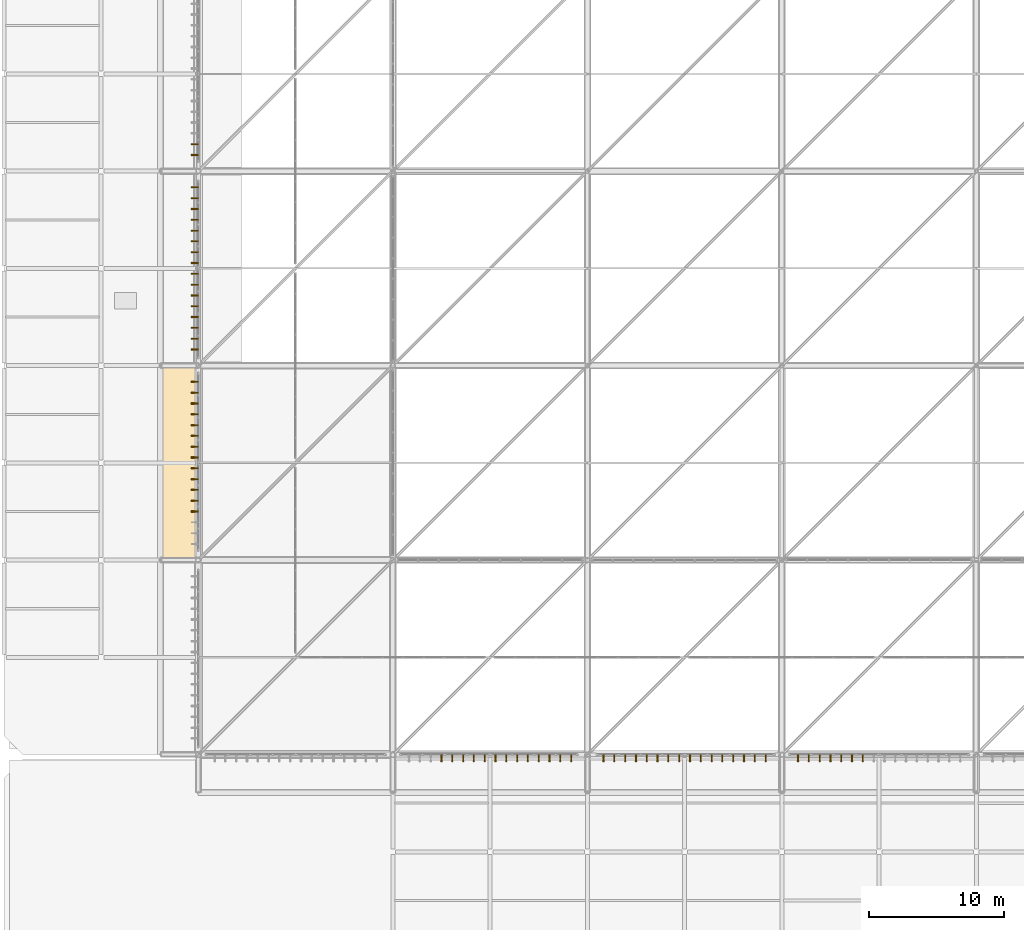
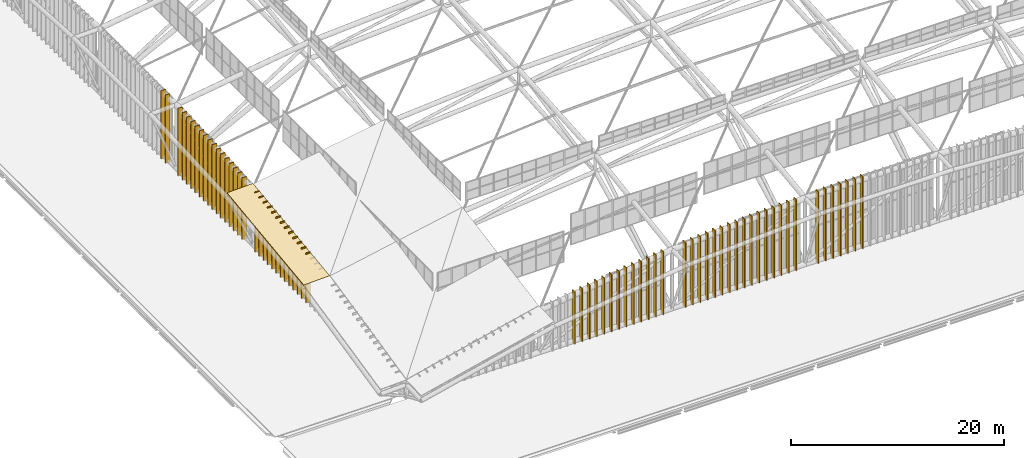
# One storey, part 387 of 397: 68 coverings.
"""IFC4 building model written with IfcOpenShell, lengths in metres."""

from ifc_helpers import new_model, si_unit, direction, frame, origin, origin_2d, place, context, subcontext, project, spatial, polyline, rectangle, outline, extrude, material, layer, layer_set, type_object, element, save


model = new_model("IFC4")

# Units and contexts
model_context = context("Model", 3, precision=1e-05, world=origin(), true_north=direction((0.0, 1.0)))
body_context = subcontext(model_context, "Body", "Model", "MODEL_VIEW")
ifc_project = project(units=[si_unit("LENGTHUNIT", "METRE"), si_unit("AREAUNIT", "SQUARE_METRE"), si_unit("VOLUMEUNIT", "CUBIC_METRE"), si_unit("PLANEANGLEUNIT", "RADIAN"), si_unit("MASSUNIT", "GRAM", prefix="KILO")], contexts=[model_context])

# Site, building, storey
site_placement = place(None, origin())
site = spatial("IfcSite", under=ifc_project, at=site_placement, CompositionType="ELEMENT")
building_placement = place(site_placement, origin())
building = spatial("IfcBuilding", under=site, at=building_placement, Name="Qandorah Velis Arena", CompositionType="ELEMENT")
storey_placement = place(building_placement, frame((0.0, 0.0, 27.5)))
storey = spatial("IfcBuildingStorey", under=building, at=storey_placement, Name="RF", CompositionType="ELEMENT", Elevation=27.5)

# Coverings
ifc_material_1 = material(Name="Champagne-bronze anodized aluminium 6063-T6", Category="aluminium")
ifc_layer_1 = layer(ifc_material_1, 0.0849609375)
ifc_layer_set_1 = layer_set([ifc_layer_1], Name="Champagne-bronze anodized aluminium 6063-T6")
covering_type_1 = type_object("IfcCoveringType", Name="ARC-COV-FIN520", PredefinedType="CLADDING", material=ifc_layer_set_1)
covering_1_placement = place(storey_placement, frame((14.14501953125, 32.39990234375, -0.010009765625), z_axis=(0.0, 0.0, 1.0), x_axis=(1.0, 0.0, 0.0)))
element("IfcCovering", 1, at=covering_1_placement, inside=storey, type_object=covering_type_1, Name="Arched crown champagne-bronze solar fin 1.2.4", PredefinedType="CLADDING", context=body_context, shape_type="SweptSolid", body=[
    extrude(rectangle(XDim=0.52001953125, YDim=0.0849609375, at=origin_2d()), origin(), (0.0, 0.0, 1.0), 5.74072265625),
])
covering_2_placement = place(storey_placement, frame((14.14501953125, 33.199951171875, -0.010009765625), z_axis=(0.0, 0.0, 1.0), x_axis=(1.0, 0.0, 0.0)))
element("IfcCovering", 2, at=covering_2_placement, inside=storey, type_object=covering_type_1, Name="Arched crown champagne-bronze solar fin 1.2.5", PredefinedType="CLADDING", context=body_context, shape_type="SweptSolid", body=[
    extrude(rectangle(XDim=0.52001953125, YDim=0.0849609375, at=origin_2d()), origin(), (0.0, 0.0, 1.0), 5.85693359375),
])
covering_3_placement = place(storey_placement, frame((14.14501953125, 34.0, -0.009765625), z_axis=(0.0, 0.0, 1.0), x_axis=(1.0, 0.0, 0.0)))
element("IfcCovering", 3, at=covering_3_placement, inside=storey, type_object=covering_type_1, Name="Arched crown champagne-bronze solar fin 1.2.6", PredefinedType="CLADDING", context=body_context, shape_type="SweptSolid", body=[
    extrude(rectangle(XDim=0.52001953125, YDim=0.0849609375, at=origin_2d()), origin(), (0.0, 0.0, 1.0), 5.969482421875),
])
covering_4_placement = place(storey_placement, frame((14.14501953125, 34.800048828125, -0.010009765625), z_axis=(0.0, 0.0, 1.0), x_axis=(1.0, 0.0, 0.0)))
element("IfcCovering", 4, at=covering_4_placement, inside=storey, type_object=covering_type_1, Name="Arched crown champagne-bronze solar fin 1.2.7", PredefinedType="CLADDING", context=body_context, shape_type="SweptSolid", body=[
    extrude(rectangle(XDim=0.52001953125, YDim=0.0849609375, at=origin_2d()), origin(), (0.0, 0.0, 1.0), 6.078125),
])
covering_5_placement = place(storey_placement, frame((14.14501953125, 35.60009765625, -0.01025390625), z_axis=(0.0, 0.0, 1.0), x_axis=(1.0, 0.0, 0.0)))
element("IfcCovering", 5, at=covering_5_placement, inside=storey, type_object=covering_type_1, Name="Arched crown champagne-bronze solar fin 1.2.8", PredefinedType="CLADDING", context=body_context, shape_type="SweptSolid", body=[
    extrude(rectangle(XDim=0.52001953125, YDim=0.0849609375, at=origin_2d()), origin(), (0.0, 0.0, 1.0), 6.183349609375),
])
covering_6_placement = place(storey_placement, frame((14.14501953125, 36.39990234375, -0.010009765625), z_axis=(0.0, 0.0, 1.0), x_axis=(1.0, 0.0, 0.0)))
element("IfcCovering", 6, at=covering_6_placement, inside=storey, type_object=covering_type_1, Name="Arched crown champagne-bronze solar fin 1.2.9", PredefinedType="CLADDING", context=body_context, shape_type="SweptSolid", body=[
    extrude(rectangle(XDim=0.52001953125, YDim=0.0849609375, at=origin_2d()), origin(), (0.0, 0.0, 1.0), 6.28466796875),
])
covering_7_placement = place(storey_placement, frame((14.14501953125, 37.199951171875, -0.01025390625), z_axis=(0.0, 0.0, 1.0), x_axis=(1.0, 0.0, 0.0)))
element("IfcCovering", 7, at=covering_7_placement, inside=storey, type_object=covering_type_1, Name="Arched crown champagne-bronze solar fin 1.2.10", PredefinedType="CLADDING", context=body_context, shape_type="SweptSolid", body=[
    extrude(rectangle(XDim=0.52001953125, YDim=0.0849609375, at=origin_2d()), origin(), (0.0, 0.0, 1.0), 6.382568359375),
])
covering_8_placement = place(storey_placement, frame((14.14501953125, 38.0, -0.009765625), z_axis=(0.0, 0.0, 1.0), x_axis=(1.0, 0.0, 0.0)))
element("IfcCovering", 8, at=covering_8_placement, inside=storey, type_object=covering_type_1, Name="Arched crown champagne-bronze solar fin 1.2.11", PredefinedType="CLADDING", context=body_context, shape_type="SweptSolid", body=[
    extrude(rectangle(XDim=0.52001953125, YDim=0.0849609375, at=origin_2d()), origin(), (0.0, 0.0, 1.0), 6.476806640625),
])
covering_9_placement = place(storey_placement, frame((14.14501953125, 38.800048828125, -0.01025390625), z_axis=(0.0, 0.0, 1.0), x_axis=(1.0, 0.0, 0.0)))
element("IfcCovering", 9, at=covering_9_placement, inside=storey, type_object=covering_type_1, Name="Arched crown champagne-bronze solar fin 1.2.12", PredefinedType="CLADDING", context=body_context, shape_type="SweptSolid", body=[
    extrude(rectangle(XDim=0.52001953125, YDim=0.0849609375, at=origin_2d()), origin(), (0.0, 0.0, 1.0), 6.567626953125),
])
covering_10_placement = place(storey_placement, frame((14.14501953125, 39.60009765625, -0.010009765625), z_axis=(0.0, 0.0, 1.0), x_axis=(1.0, 0.0, 0.0)))
element("IfcCovering", 10, at=covering_10_placement, inside=storey, type_object=covering_type_1, Name="Arched crown champagne-bronze solar fin 1.2.13", PredefinedType="CLADDING", context=body_context, shape_type="SweptSolid", body=[
    extrude(rectangle(XDim=0.52001953125, YDim=0.0849609375, at=origin_2d()), origin(), (0.0, 0.0, 1.0), 6.6552734375),
])
covering_11_placement = place(storey_placement, frame((14.14501953125, 40.39990234375, -0.010009765625), z_axis=(0.0, 0.0, 1.0), x_axis=(1.0, 0.0, 0.0)))
element("IfcCovering", 11, at=covering_11_placement, inside=storey, type_object=covering_type_1, Name="Arched crown champagne-bronze solar fin 1.2.14", PredefinedType="CLADDING", context=body_context, shape_type="SweptSolid", body=[
    extrude(rectangle(XDim=0.52001953125, YDim=0.0849609375, at=origin_2d()), origin(), (0.0, 0.0, 1.0), 6.7392578125),
])
covering_12_placement = place(storey_placement, frame((14.14501953125, 41.199951171875, -0.010009765625), z_axis=(0.0, 0.0, 1.0), x_axis=(1.0, 0.0, 0.0)))
element("IfcCovering", 12, at=covering_12_placement, inside=storey, type_object=covering_type_1, Name="Arched crown champagne-bronze solar fin 1.2.15", PredefinedType="CLADDING", context=body_context, shape_type="SweptSolid", body=[
    extrude(rectangle(XDim=0.52001953125, YDim=0.0849609375, at=origin_2d()), origin(), (0.0, 0.0, 1.0), 6.8203125),
])
covering_13_placement = place(storey_placement, frame((14.14501953125, 42.0, -0.009765625), z_axis=(0.0, 0.0, 1.0), x_axis=(1.0, 0.0, 0.0)))
element("IfcCovering", 13, at=covering_13_placement, inside=storey, type_object=covering_type_1, Name="Arched crown champagne-bronze solar fin 1.2.16", PredefinedType="CLADDING", context=body_context, shape_type="SweptSolid", body=[
    extrude(rectangle(XDim=0.52001953125, YDim=0.0849609375, at=origin_2d()), origin(), (0.0, 0.0, 1.0), 6.897705078125),
])
covering_14_placement = place(storey_placement, frame((14.14501953125, 44.39990234375, -0.010009765625), z_axis=(0.0, 0.0, 1.0), x_axis=(1.0, 0.0, 0.0)))
element("IfcCovering", 14, at=covering_14_placement, inside=storey, type_object=covering_type_1, Name="Arched crown champagne-bronze solar fin 1.3.1", PredefinedType="CLADDING", context=body_context, shape_type="SweptSolid", body=[
    extrude(rectangle(XDim=0.52001953125, YDim=0.0849609375, at=origin_2d()), origin(), (0.0, 0.0, 1.0), 7.11181640625),
])
covering_15_placement = place(storey_placement, frame((14.14501953125, 45.199951171875, -0.009765625), z_axis=(0.0, 0.0, 1.0), x_axis=(1.0, 0.0, 0.0)))
element("IfcCovering", 15, at=covering_15_placement, inside=storey, type_object=covering_type_1, Name="Arched crown champagne-bronze solar fin 1.3.2", PredefinedType="CLADDING", context=body_context, shape_type="SweptSolid", body=[
    extrude(rectangle(XDim=0.52001953125, YDim=0.0849609375, at=origin_2d()), origin(), (0.0, 0.0, 1.0), 7.177001953125),
])
covering_16_placement = place(storey_placement, frame((14.14501953125, 46.0, -0.01025390625), z_axis=(0.0, 0.0, 1.0), x_axis=(1.0, 0.0, 0.0)))
element("IfcCovering", 16, at=covering_16_placement, inside=storey, type_object=covering_type_1, Name="Arched crown champagne-bronze solar fin 1.3.3", PredefinedType="CLADDING", context=body_context, shape_type="SweptSolid", body=[
    extrude(rectangle(XDim=0.52001953125, YDim=0.0849609375, at=origin_2d()), origin(), (0.0, 0.0, 1.0), 7.239501953125),
])
covering_17_placement = place(storey_placement, frame((14.14501953125, 46.800048828125, -0.009765625), z_axis=(0.0, 0.0, 1.0), x_axis=(1.0, 0.0, 0.0)))
element("IfcCovering", 17, at=covering_17_placement, inside=storey, type_object=covering_type_1, Name="Arched crown champagne-bronze solar fin 1.3.4", PredefinedType="CLADDING", context=body_context, shape_type="SweptSolid", body=[
    extrude(rectangle(XDim=0.52001953125, YDim=0.0849609375, at=origin_2d()), origin(), (0.0, 0.0, 1.0), 7.298583984375),
])
covering_18_placement = place(storey_placement, frame((14.14501953125, 47.60009765625, -0.010009765625), z_axis=(0.0, 0.0, 1.0), x_axis=(1.0, 0.0, 0.0)))
element("IfcCovering", 18, at=covering_18_placement, inside=storey, type_object=covering_type_1, Name="Arched crown champagne-bronze solar fin 1.3.5", PredefinedType="CLADDING", context=body_context, shape_type="SweptSolid", body=[
    extrude(rectangle(XDim=0.52001953125, YDim=0.0849609375, at=origin_2d()), origin(), (0.0, 0.0, 1.0), 7.35498046875),
])
covering_19_placement = place(storey_placement, frame((14.14501953125, 48.39990234375, -0.010009765625), z_axis=(0.0, 0.0, 1.0), x_axis=(1.0, 0.0, 0.0)))
element("IfcCovering", 19, at=covering_19_placement, inside=storey, type_object=covering_type_1, Name="Arched crown champagne-bronze solar fin 1.3.6", PredefinedType="CLADDING", context=body_context, shape_type="SweptSolid", body=[
    extrude(rectangle(XDim=0.52001953125, YDim=0.0849609375, at=origin_2d()), origin(), (0.0, 0.0, 1.0), 7.40869140625),
])
covering_20_placement = place(storey_placement, frame((14.14501953125, 49.199951171875, -0.010009765625), z_axis=(0.0, 0.0, 1.0), x_axis=(1.0, 0.0, 0.0)))
element("IfcCovering", 20, at=covering_20_placement, inside=storey, type_object=covering_type_1, Name="Arched crown champagne-bronze solar fin 1.3.7", PredefinedType="CLADDING", context=body_context, shape_type="SweptSolid", body=[
    extrude(rectangle(XDim=0.52001953125, YDim=0.0849609375, at=origin_2d()), origin(), (0.0, 0.0, 1.0), 7.45947265625),
])
covering_21_placement = place(storey_placement, frame((14.14501953125, 50.0, -0.010009765625), z_axis=(0.0, 0.0, 1.0), x_axis=(1.0, 0.0, 0.0)))
element("IfcCovering", 21, at=covering_21_placement, inside=storey, type_object=covering_type_1, Name="Arched crown champagne-bronze solar fin 1.3.8", PredefinedType="CLADDING", context=body_context, shape_type="SweptSolid", body=[
    extrude(rectangle(XDim=0.52001953125, YDim=0.0849609375, at=origin_2d()), origin(), (0.0, 0.0, 1.0), 7.50732421875),
])
covering_22_placement = place(storey_placement, frame((14.14501953125, 50.800048828125, -0.01025390625), z_axis=(0.0, 0.0, 1.0), x_axis=(1.0, 0.0, 0.0)))
element("IfcCovering", 22, at=covering_22_placement, inside=storey, type_object=covering_type_1, Name="Arched crown champagne-bronze solar fin 1.3.9", PredefinedType="CLADDING", context=body_context, shape_type="SweptSolid", body=[
    extrude(rectangle(XDim=0.52001953125, YDim=0.0849609375, at=origin_2d()), origin(), (0.0, 0.0, 1.0), 7.552490234375),
])
covering_23_placement = place(storey_placement, frame((14.14501953125, 51.60009765625, -0.009765625), z_axis=(0.0, 0.0, 1.0), x_axis=(1.0, 0.0, 0.0)))
element("IfcCovering", 23, at=covering_23_placement, inside=storey, type_object=covering_type_1, Name="Arched crown champagne-bronze solar fin 1.3.10", PredefinedType="CLADDING", context=body_context, shape_type="SweptSolid", body=[
    extrude(rectangle(XDim=0.52001953125, YDim=0.0849609375, at=origin_2d()), origin(), (0.0, 0.0, 1.0), 7.594970703125),
])
covering_24_placement = place(storey_placement, frame((14.14501953125, 52.39990234375, -0.01025390625), z_axis=(0.0, 0.0, 1.0), x_axis=(1.0, 0.0, 0.0)))
element("IfcCovering", 24, at=covering_24_placement, inside=storey, type_object=covering_type_1, Name="Arched crown champagne-bronze solar fin 1.3.11", PredefinedType="CLADDING", context=body_context, shape_type="SweptSolid", body=[
    extrude(rectangle(XDim=0.52001953125, YDim=0.0849609375, at=origin_2d()), origin(), (0.0, 0.0, 1.0), 7.635009765625),
])
covering_25_placement = place(storey_placement, frame((14.14501953125, 53.199951171875, -0.01025390625), z_axis=(0.0, 0.0, 1.0), x_axis=(1.0, 0.0, 0.0)))
element("IfcCovering", 25, at=covering_25_placement, inside=storey, type_object=covering_type_1, Name="Arched crown champagne-bronze solar fin 1.3.12", PredefinedType="CLADDING", context=body_context, shape_type="SweptSolid", body=[
    extrude(rectangle(XDim=0.52001953125, YDim=0.0849609375, at=origin_2d()), origin(), (0.0, 0.0, 1.0), 7.672119140625),
])
covering_26_placement = place(storey_placement, frame((14.14501953125, 54.0, -0.01025390625), z_axis=(0.0, 0.0, 1.0), x_axis=(1.0, 0.0, 0.0)))
element("IfcCovering", 26, at=covering_26_placement, inside=storey, type_object=covering_type_1, Name="Arched crown champagne-bronze solar fin 1.3.13", PredefinedType="CLADDING", context=body_context, shape_type="SweptSolid", body=[
    extrude(rectangle(XDim=0.52001953125, YDim=0.0849609375, at=origin_2d()), origin(), (0.0, 0.0, 1.0), 7.706787109375),
])
covering_27_placement = place(storey_placement, frame((14.14501953125, 54.800048828125, -0.010009765625), z_axis=(0.0, 0.0, 1.0), x_axis=(1.0, 0.0, 0.0)))
element("IfcCovering", 27, at=covering_27_placement, inside=storey, type_object=covering_type_1, Name="Arched crown champagne-bronze solar fin 1.3.14", PredefinedType="CLADDING", context=body_context, shape_type="SweptSolid", body=[
    extrude(rectangle(XDim=0.52001953125, YDim=0.0849609375, at=origin_2d()), origin(), (0.0, 0.0, 1.0), 7.73876953125),
])
covering_28_placement = place(storey_placement, frame((14.14501953125, 55.60009765625, -0.010009765625), z_axis=(0.0, 0.0, 1.0), x_axis=(1.0, 0.0, 0.0)))
element("IfcCovering", 28, at=covering_28_placement, inside=storey, type_object=covering_type_1, Name="Arched crown champagne-bronze solar fin 1.3.15", PredefinedType="CLADDING", context=body_context, shape_type="SweptSolid", body=[
    extrude(rectangle(XDim=0.52001953125, YDim=0.0849609375, at=origin_2d()), origin(), (0.0, 0.0, 1.0), 7.76806640625),
])
covering_29_placement = place(storey_placement, frame((14.14501953125, 56.39990234375, -0.010009765625), z_axis=(0.0, 0.0, 1.0), x_axis=(1.0, 0.0, 0.0)))
element("IfcCovering", 29, at=covering_29_placement, inside=storey, type_object=covering_type_1, Name="Arched crown champagne-bronze solar fin 1.3.16", PredefinedType="CLADDING", context=body_context, shape_type="SweptSolid", body=[
    extrude(rectangle(XDim=0.52001953125, YDim=0.0849609375, at=origin_2d()), origin(), (0.0, 0.0, 1.0), 7.794921875),
])
covering_30_placement = place(storey_placement, frame((14.14501953125, 58.800048828125, -0.009765625), z_axis=(0.0, 0.0, 1.0), x_axis=(1.0, 0.0, 0.0)))
element("IfcCovering", 30, at=covering_30_placement, inside=storey, type_object=covering_type_1, Name="Arched crown champagne-bronze solar fin 1.4.1", PredefinedType="CLADDING", context=body_context, shape_type="SweptSolid", body=[
    extrude(rectangle(XDim=0.52001953125, YDim=0.0849609375, at=origin_2d()), origin(), (0.0, 0.0, 1.0), 7.860595703125),
])
covering_31_placement = place(storey_placement, frame((14.14501953125, 59.60009765625, -0.01025390625), z_axis=(0.0, 0.0, 1.0), x_axis=(1.0, 0.0, 0.0)))
element("IfcCovering", 31, at=covering_31_placement, inside=storey, type_object=covering_type_1, Name="Arched crown champagne-bronze solar fin 1.4.2", PredefinedType="CLADDING", context=body_context, shape_type="SweptSolid", body=[
    extrude(rectangle(XDim=0.52001953125, YDim=0.0849609375, at=origin_2d()), origin(), (0.0, 0.0, 1.0), 7.877685546875),
])
covering_32_placement = place(storey_placement, frame((32.39990234375, 14.14501953125, -0.01025390625), z_axis=(0.0, 0.0, 1.0), x_axis=(1.0, 0.0, 0.0)))
element("IfcCovering", 32, at=covering_32_placement, inside=storey, type_object=covering_type_1, Name="Arched crown champagne-bronze solar fin 3.2.4", PredefinedType="CLADDING", context=body_context, shape_type="SweptSolid", body=[
    extrude(rectangle(XDim=0.0849609375, YDim=0.52001953125, at=origin_2d()), origin(), (0.0, 0.0, 1.0), 6.021240234375),
])
covering_33_placement = place(storey_placement, frame((33.199951171875, 14.14501953125, -0.01025390625), z_axis=(0.0, 0.0, 1.0), x_axis=(1.0, 0.0, 0.0)))
element("IfcCovering", 33, at=covering_33_placement, inside=storey, type_object=covering_type_1, Name="Arched crown champagne-bronze solar fin 3.2.5", PredefinedType="CLADDING", context=body_context, shape_type="SweptSolid", body=[
    extrude(rectangle(XDim=0.0849609375, YDim=0.52001953125, at=origin_2d()), origin(), (0.0, 0.0, 1.0), 6.144775390625),
])
covering_34_placement = place(storey_placement, frame((34.0, 14.14501953125, -0.01025390625), z_axis=(0.0, 0.0, 1.0), x_axis=(1.0, 0.0, 0.0)))
element("IfcCovering", 34, at=covering_34_placement, inside=storey, type_object=covering_type_1, Name="Arched crown champagne-bronze solar fin 3.2.6", PredefinedType="CLADDING", context=body_context, shape_type="SweptSolid", body=[
    extrude(rectangle(XDim=0.0849609375, YDim=0.52001953125, at=origin_2d()), origin(), (0.0, 0.0, 1.0), 6.263916015625),
])
covering_35_placement = place(storey_placement, frame((34.800048828125, 14.14501953125, -0.01025390625), z_axis=(0.0, 0.0, 1.0), x_axis=(1.0, 0.0, 0.0)))
element("IfcCovering", 35, at=covering_35_placement, inside=storey, type_object=covering_type_1, Name="Arched crown champagne-bronze solar fin 3.2.7", PredefinedType="CLADDING", context=body_context, shape_type="SweptSolid", body=[
    extrude(rectangle(XDim=0.0849609375, YDim=0.52001953125, at=origin_2d()), origin(), (0.0, 0.0, 1.0), 6.379150390625),
])
covering_36_placement = place(storey_placement, frame((35.60009765625, 14.14501953125, -0.010009765625), z_axis=(0.0, 0.0, 1.0), x_axis=(1.0, 0.0, 0.0)))
element("IfcCovering", 36, at=covering_36_placement, inside=storey, type_object=covering_type_1, Name="Arched crown champagne-bronze solar fin 3.2.8", PredefinedType="CLADDING", context=body_context, shape_type="SweptSolid", body=[
    extrude(rectangle(XDim=0.0849609375, YDim=0.52001953125, at=origin_2d()), origin(), (0.0, 0.0, 1.0), 6.490234375),
])
covering_37_placement = place(storey_placement, frame((36.39990234375, 14.14501953125, -0.009765625), z_axis=(0.0, 0.0, 1.0), x_axis=(1.0, 0.0, 0.0)))
element("IfcCovering", 37, at=covering_37_placement, inside=storey, type_object=covering_type_1, Name="Arched crown champagne-bronze solar fin 3.2.9", PredefinedType="CLADDING", context=body_context, shape_type="SweptSolid", body=[
    extrude(rectangle(XDim=0.0849609375, YDim=0.52001953125, at=origin_2d()), origin(), (0.0, 0.0, 1.0), 6.597412109375),
])
covering_38_placement = place(storey_placement, frame((37.199951171875, 14.14501953125, -0.010009765625), z_axis=(0.0, 0.0, 1.0), x_axis=(1.0, 0.0, 0.0)))
element("IfcCovering", 38, at=covering_38_placement, inside=storey, type_object=covering_type_1, Name="Arched crown champagne-bronze solar fin 3.2.10", PredefinedType="CLADDING", context=body_context, shape_type="SweptSolid", body=[
    extrude(rectangle(XDim=0.0849609375, YDim=0.52001953125, at=origin_2d()), origin(), (0.0, 0.0, 1.0), 6.70068359375),
])
covering_39_placement = place(storey_placement, frame((38.0, 14.14501953125, -0.010009765625), z_axis=(0.0, 0.0, 1.0), x_axis=(1.0, 0.0, 0.0)))
element("IfcCovering", 39, at=covering_39_placement, inside=storey, type_object=covering_type_1, Name="Arched crown champagne-bronze solar fin 3.2.11", PredefinedType="CLADDING", context=body_context, shape_type="SweptSolid", body=[
    extrude(rectangle(XDim=0.0849609375, YDim=0.52001953125, at=origin_2d()), origin(), (0.0, 0.0, 1.0), 6.80029296875),
])
covering_40_placement = place(storey_placement, frame((38.800048828125, 14.14501953125, -0.010009765625), z_axis=(0.0, 0.0, 1.0), x_axis=(1.0, 0.0, 0.0)))
element("IfcCovering", 40, at=covering_40_placement, inside=storey, type_object=covering_type_1, Name="Arched crown champagne-bronze solar fin 3.2.12", PredefinedType="CLADDING", context=body_context, shape_type="SweptSolid", body=[
    extrude(rectangle(XDim=0.0849609375, YDim=0.52001953125, at=origin_2d()), origin(), (0.0, 0.0, 1.0), 6.89599609375),
])
covering_41_placement = place(storey_placement, frame((39.60009765625, 14.14501953125, -0.010009765625), z_axis=(0.0, 0.0, 1.0), x_axis=(1.0, 0.0, 0.0)))
element("IfcCovering", 41, at=covering_41_placement, inside=storey, type_object=covering_type_1, Name="Arched crown champagne-bronze solar fin 3.2.13", PredefinedType="CLADDING", context=body_context, shape_type="SweptSolid", body=[
    extrude(rectangle(XDim=0.0849609375, YDim=0.52001953125, at=origin_2d()), origin(), (0.0, 0.0, 1.0), 6.98828125),
])
covering_42_placement = place(storey_placement, frame((40.39990234375, 14.14501953125, -0.01025390625), z_axis=(0.0, 0.0, 1.0), x_axis=(1.0, 0.0, 0.0)))
element("IfcCovering", 42, at=covering_42_placement, inside=storey, type_object=covering_type_1, Name="Arched crown champagne-bronze solar fin 3.2.14", PredefinedType="CLADDING", context=body_context, shape_type="SweptSolid", body=[
    extrude(rectangle(XDim=0.0849609375, YDim=0.52001953125, at=origin_2d()), origin(), (0.0, 0.0, 1.0), 7.076904296875),
])
covering_43_placement = place(storey_placement, frame((41.199951171875, 14.14501953125, -0.01025390625), z_axis=(0.0, 0.0, 1.0), x_axis=(1.0, 0.0, 0.0)))
element("IfcCovering", 43, at=covering_43_placement, inside=storey, type_object=covering_type_1, Name="Arched crown champagne-bronze solar fin 3.2.15", PredefinedType="CLADDING", context=body_context, shape_type="SweptSolid", body=[
    extrude(rectangle(XDim=0.0849609375, YDim=0.52001953125, at=origin_2d()), origin(), (0.0, 0.0, 1.0), 7.161865234375),
])
covering_44_placement = place(storey_placement, frame((42.0, 14.14501953125, -0.01025390625), z_axis=(0.0, 0.0, 1.0), x_axis=(1.0, 0.0, 0.0)))
element("IfcCovering", 44, at=covering_44_placement, inside=storey, type_object=covering_type_1, Name="Arched crown champagne-bronze solar fin 3.2.16", PredefinedType="CLADDING", context=body_context, shape_type="SweptSolid", body=[
    extrude(rectangle(XDim=0.0849609375, YDim=0.52001953125, at=origin_2d()), origin(), (0.0, 0.0, 1.0), 7.243408203125),
])
covering_45_placement = place(storey_placement, frame((44.39990234375, 14.14501953125, -0.010009765625), z_axis=(0.0, 0.0, 1.0), x_axis=(1.0, 0.0, 0.0)))
element("IfcCovering", 45, at=covering_45_placement, inside=storey, type_object=covering_type_1, Name="Arched crown champagne-bronze solar fin 3.3.1", PredefinedType="CLADDING", context=body_context, shape_type="SweptSolid", body=[
    extrude(rectangle(XDim=0.0849609375, YDim=0.52001953125, at=origin_2d()), origin(), (0.0, 0.0, 1.0), 7.4677734375),
])
covering_46_placement = place(storey_placement, frame((45.199951171875, 14.14501953125, -0.01025390625), z_axis=(0.0, 0.0, 1.0), x_axis=(1.0, 0.0, 0.0)))
element("IfcCovering", 46, at=covering_46_placement, inside=storey, type_object=covering_type_1, Name="Arched crown champagne-bronze solar fin 3.3.2", PredefinedType="CLADDING", context=body_context, shape_type="SweptSolid", body=[
    extrude(rectangle(XDim=0.0849609375, YDim=0.52001953125, at=origin_2d()), origin(), (0.0, 0.0, 1.0), 7.535888671875),
])
covering_47_placement = place(storey_placement, frame((46.0, 14.14501953125, -0.01025390625), z_axis=(0.0, 0.0, 1.0), x_axis=(1.0, 0.0, 0.0)))
element("IfcCovering", 47, at=covering_47_placement, inside=storey, type_object=covering_type_1, Name="Arched crown champagne-bronze solar fin 3.3.3", PredefinedType="CLADDING", context=body_context, shape_type="SweptSolid", body=[
    extrude(rectangle(XDim=0.0849609375, YDim=0.52001953125, at=origin_2d()), origin(), (0.0, 0.0, 1.0), 7.600830078125),
])
covering_48_placement = place(storey_placement, frame((46.800048828125, 14.14501953125, -0.01025390625), z_axis=(0.0, 0.0, 1.0), x_axis=(1.0, 0.0, 0.0)))
element("IfcCovering", 48, at=covering_48_placement, inside=storey, type_object=covering_type_1, Name="Arched crown champagne-bronze solar fin 3.3.4", PredefinedType="CLADDING", context=body_context, shape_type="SweptSolid", body=[
    extrude(rectangle(XDim=0.0849609375, YDim=0.52001953125, at=origin_2d()), origin(), (0.0, 0.0, 1.0), 7.662841796875),
])
covering_49_placement = place(storey_placement, frame((47.60009765625, 14.14501953125, -0.010009765625), z_axis=(0.0, 0.0, 1.0), x_axis=(1.0, 0.0, 0.0)))
element("IfcCovering", 49, at=covering_49_placement, inside=storey, type_object=covering_type_1, Name="Arched crown champagne-bronze solar fin 3.3.5", PredefinedType="CLADDING", context=body_context, shape_type="SweptSolid", body=[
    extrude(rectangle(XDim=0.0849609375, YDim=0.52001953125, at=origin_2d()), origin(), (0.0, 0.0, 1.0), 7.7216796875),
])
covering_50_placement = place(storey_placement, frame((48.39990234375, 14.14501953125, -0.009765625), z_axis=(0.0, 0.0, 1.0), x_axis=(1.0, 0.0, 0.0)))
element("IfcCovering", 50, at=covering_50_placement, inside=storey, type_object=covering_type_1, Name="Arched crown champagne-bronze solar fin 3.3.6", PredefinedType="CLADDING", context=body_context, shape_type="SweptSolid", body=[
    extrude(rectangle(XDim=0.0849609375, YDim=0.52001953125, at=origin_2d()), origin(), (0.0, 0.0, 1.0), 7.777587890625),
])
covering_51_placement = place(storey_placement, frame((49.199951171875, 14.14501953125, -0.009765625), z_axis=(0.0, 0.0, 1.0), x_axis=(1.0, 0.0, 0.0)))
element("IfcCovering", 51, at=covering_51_placement, inside=storey, type_object=covering_type_1, Name="Arched crown champagne-bronze solar fin 3.3.7", PredefinedType="CLADDING", context=body_context, shape_type="SweptSolid", body=[
    extrude(rectangle(XDim=0.0849609375, YDim=0.52001953125, at=origin_2d()), origin(), (0.0, 0.0, 1.0), 7.830322265625),
])
covering_52_placement = place(storey_placement, frame((50.0, 14.14501953125, -0.010009765625), z_axis=(0.0, 0.0, 1.0), x_axis=(1.0, 0.0, 0.0)))
element("IfcCovering", 52, at=covering_52_placement, inside=storey, type_object=covering_type_1, Name="Arched crown champagne-bronze solar fin 3.3.8", PredefinedType="CLADDING", context=body_context, shape_type="SweptSolid", body=[
    extrude(rectangle(XDim=0.0849609375, YDim=0.52001953125, at=origin_2d()), origin(), (0.0, 0.0, 1.0), 7.88037109375),
])
covering_53_placement = place(storey_placement, frame((50.800048828125, 14.14501953125, -0.01025390625), z_axis=(0.0, 0.0, 1.0), x_axis=(1.0, 0.0, 0.0)))
element("IfcCovering", 53, at=covering_53_placement, inside=storey, type_object=covering_type_1, Name="Arched crown champagne-bronze solar fin 3.3.9", PredefinedType="CLADDING", context=body_context, shape_type="SweptSolid", body=[
    extrude(rectangle(XDim=0.0849609375, YDim=0.52001953125, at=origin_2d()), origin(), (0.0, 0.0, 1.0), 7.927490234375),
])
covering_54_placement = place(storey_placement, frame((51.60009765625, 14.14501953125, -0.01025390625), z_axis=(0.0, 0.0, 1.0), x_axis=(1.0, 0.0, 0.0)))
element("IfcCovering", 54, at=covering_54_placement, inside=storey, type_object=covering_type_1, Name="Arched crown champagne-bronze solar fin 3.3.10", PredefinedType="CLADDING", context=body_context, shape_type="SweptSolid", body=[
    extrude(rectangle(XDim=0.0849609375, YDim=0.52001953125, at=origin_2d()), origin(), (0.0, 0.0, 1.0), 7.971435546875),
])
covering_55_placement = place(storey_placement, frame((52.39990234375, 14.14501953125, -0.01025390625), z_axis=(0.0, 0.0, 1.0), x_axis=(1.0, 0.0, 0.0)))
element("IfcCovering", 55, at=covering_55_placement, inside=storey, type_object=covering_type_1, Name="Arched crown champagne-bronze solar fin 3.3.11", PredefinedType="CLADDING", context=body_context, shape_type="SweptSolid", body=[
    extrude(rectangle(XDim=0.0849609375, YDim=0.52001953125, at=origin_2d()), origin(), (0.0, 0.0, 1.0), 8.012939453125),
])
covering_56_placement = place(storey_placement, frame((53.199951171875, 14.14501953125, -0.01025390625), z_axis=(0.0, 0.0, 1.0), x_axis=(1.0, 0.0, 0.0)))
element("IfcCovering", 56, at=covering_56_placement, inside=storey, type_object=covering_type_1, Name="Arched crown champagne-bronze solar fin 3.3.12", PredefinedType="CLADDING", context=body_context, shape_type="SweptSolid", body=[
    extrude(rectangle(XDim=0.0849609375, YDim=0.52001953125, at=origin_2d()), origin(), (0.0, 0.0, 1.0), 8.051513671875),
])
covering_57_placement = place(storey_placement, frame((54.0, 14.14501953125, -0.010009765625), z_axis=(0.0, 0.0, 1.0), x_axis=(1.0, 0.0, 0.0)))
element("IfcCovering", 57, at=covering_57_placement, inside=storey, type_object=covering_type_1, Name="Arched crown champagne-bronze solar fin 3.3.13", PredefinedType="CLADDING", context=body_context, shape_type="SweptSolid", body=[
    extrude(rectangle(XDim=0.0849609375, YDim=0.52001953125, at=origin_2d()), origin(), (0.0, 0.0, 1.0), 8.08740234375),
])
covering_58_placement = place(storey_placement, frame((54.800048828125, 14.14501953125, -0.010009765625), z_axis=(0.0, 0.0, 1.0), x_axis=(1.0, 0.0, 0.0)))
element("IfcCovering", 58, at=covering_58_placement, inside=storey, type_object=covering_type_1, Name="Arched crown champagne-bronze solar fin 3.3.14", PredefinedType="CLADDING", context=body_context, shape_type="SweptSolid", body=[
    extrude(rectangle(XDim=0.0849609375, YDim=0.52001953125, at=origin_2d()), origin(), (0.0, 0.0, 1.0), 8.12060546875),
])
covering_59_placement = place(storey_placement, frame((55.60009765625, 14.14501953125, -0.01025390625), z_axis=(0.0, 0.0, 1.0), x_axis=(1.0, 0.0, 0.0)))
element("IfcCovering", 59, at=covering_59_placement, inside=storey, type_object=covering_type_1, Name="Arched crown champagne-bronze solar fin 3.3.15", PredefinedType="CLADDING", context=body_context, shape_type="SweptSolid", body=[
    extrude(rectangle(XDim=0.0849609375, YDim=0.52001953125, at=origin_2d()), origin(), (0.0, 0.0, 1.0), 8.151123046875),
])
covering_60_placement = place(storey_placement, frame((56.39990234375, 14.14501953125, -0.01025390625), z_axis=(0.0, 0.0, 1.0), x_axis=(1.0, 0.0, 0.0)))
element("IfcCovering", 60, at=covering_60_placement, inside=storey, type_object=covering_type_1, Name="Arched crown champagne-bronze solar fin 3.3.16", PredefinedType="CLADDING", context=body_context, shape_type="SweptSolid", body=[
    extrude(rectangle(XDim=0.0849609375, YDim=0.52001953125, at=origin_2d()), origin(), (0.0, 0.0, 1.0), 8.178955078125),
])
covering_61_placement = place(storey_placement, frame((58.800048828125, 14.14501953125, -0.009765625), z_axis=(0.0, 0.0, 1.0), x_axis=(1.0, 0.0, 0.0)))
element("IfcCovering", 61, at=covering_61_placement, inside=storey, type_object=covering_type_1, Name="Arched crown champagne-bronze solar fin 3.4.1", PredefinedType="CLADDING", context=body_context, shape_type="SweptSolid", body=[
    extrude(rectangle(XDim=0.0849609375, YDim=0.52001953125, at=origin_2d()), origin(), (0.0, 0.0, 1.0), 8.246826171875),
])
covering_62_placement = place(storey_placement, frame((59.60009765625, 14.14501953125, -0.009765625), z_axis=(0.0, 0.0, 1.0), x_axis=(1.0, 0.0, 0.0)))
element("IfcCovering", 62, at=covering_62_placement, inside=storey, type_object=covering_type_1, Name="Arched crown champagne-bronze solar fin 3.4.2", PredefinedType="CLADDING", context=body_context, shape_type="SweptSolid", body=[
    extrude(rectangle(XDim=0.0849609375, YDim=0.52001953125, at=origin_2d()), origin(), (0.0, 0.0, 1.0), 8.264404296875),
])
covering_63_placement = place(storey_placement, frame((60.39990234375, 14.14501953125, -0.010009765625), z_axis=(0.0, 0.0, 1.0), x_axis=(1.0, 0.0, 0.0)))
element("IfcCovering", 63, at=covering_63_placement, inside=storey, type_object=covering_type_1, Name="Arched crown champagne-bronze solar fin 3.4.3", PredefinedType="CLADDING", context=body_context, shape_type="SweptSolid", body=[
    extrude(rectangle(XDim=0.0849609375, YDim=0.52001953125, at=origin_2d()), origin(), (0.0, 0.0, 1.0), 8.279296875),
])
covering_64_placement = place(storey_placement, frame((61.199951171875, 14.14501953125, -0.009765625), z_axis=(0.0, 0.0, 1.0), x_axis=(1.0, 0.0, 0.0)))
element("IfcCovering", 64, at=covering_64_placement, inside=storey, type_object=covering_type_1, Name="Arched crown champagne-bronze solar fin 3.4.4", PredefinedType="CLADDING", context=body_context, shape_type="SweptSolid", body=[
    extrude(rectangle(XDim=0.0849609375, YDim=0.52001953125, at=origin_2d()), origin(), (0.0, 0.0, 1.0), 8.291748046875),
])
covering_65_placement = place(storey_placement, frame((62.0, 14.14501953125, -0.010009765625), z_axis=(0.0, 0.0, 1.0), x_axis=(1.0, 0.0, 0.0)))
element("IfcCovering", 65, at=covering_65_placement, inside=storey, type_object=covering_type_1, Name="Arched crown champagne-bronze solar fin 3.4.5", PredefinedType="CLADDING", context=body_context, shape_type="SweptSolid", body=[
    extrude(rectangle(XDim=0.0849609375, YDim=0.52001953125, at=origin_2d()), origin(), (0.0, 0.0, 1.0), 8.3017578125),
])
covering_66_placement = place(storey_placement, frame((62.800048828125, 14.14501953125, -0.01025390625), z_axis=(0.0, 0.0, 1.0), x_axis=(1.0, 0.0, 0.0)))
element("IfcCovering", 66, at=covering_66_placement, inside=storey, type_object=covering_type_1, Name="Arched crown champagne-bronze solar fin 3.4.6", PredefinedType="CLADDING", context=body_context, shape_type="SweptSolid", body=[
    extrude(rectangle(XDim=0.0849609375, YDim=0.52001953125, at=origin_2d()), origin(), (0.0, 0.0, 1.0), 8.309326171875),
])
covering_67_placement = place(storey_placement, frame((63.60009765625, 14.14501953125, -0.009765625), z_axis=(0.0, 0.0, 1.0), x_axis=(1.0, 0.0, 0.0)))
element("IfcCovering", 67, at=covering_67_placement, inside=storey, type_object=covering_type_1, Name="Arched crown champagne-bronze solar fin 3.4.7", PredefinedType="CLADDING", context=body_context, shape_type="SweptSolid", body=[
    extrude(rectangle(XDim=0.0849609375, YDim=0.52001953125, at=origin_2d()), origin(), (0.0, 0.0, 1.0), 8.314208984375),
])
ifc_material_2 = material(Name="Insulated high-albedo standing-seam aluminium roofing", Category="aluminium")
ifc_layer_2 = layer(ifc_material_2, 0.080078125)
ifc_layer_set_2 = layer_set([ifc_layer_2], Name="Insulated high-albedo standing-seam aluminium roofing")
covering_type_2 = type_object("IfcCoveringType", Name="ARC-COV-ROOF", PredefinedType="ROOFING", material=ifc_layer_set_2)
covering_68_placement = place(storey_placement, frame((11.60009765625, 28.800048828125, 5.058349609375), z_axis=(-0.035354677785, -0.126674815453, 0.991314046046), x_axis=(0.999364629289, 0.0, 0.035641797469)))
element("IfcCovering", 68, at=covering_68_placement, inside=storey, type_object=covering_type_2, Name="Overhanging arena eave roof panel W-2", PredefinedType="ROOFING", context=body_context, shape_type="SweptSolid", body=[
    extrude(outline(polyline([(0.0, 0.0), (2.801584732384449, 0.0), (2.8671687723079944, 14.516845721039706), (0.06558403992354532, 14.516845721039706), (0.0, 0.0)])), origin(), (0.0, 0.0, -1.0), 0.06005859375),
])

save(model, "model.ifc")
